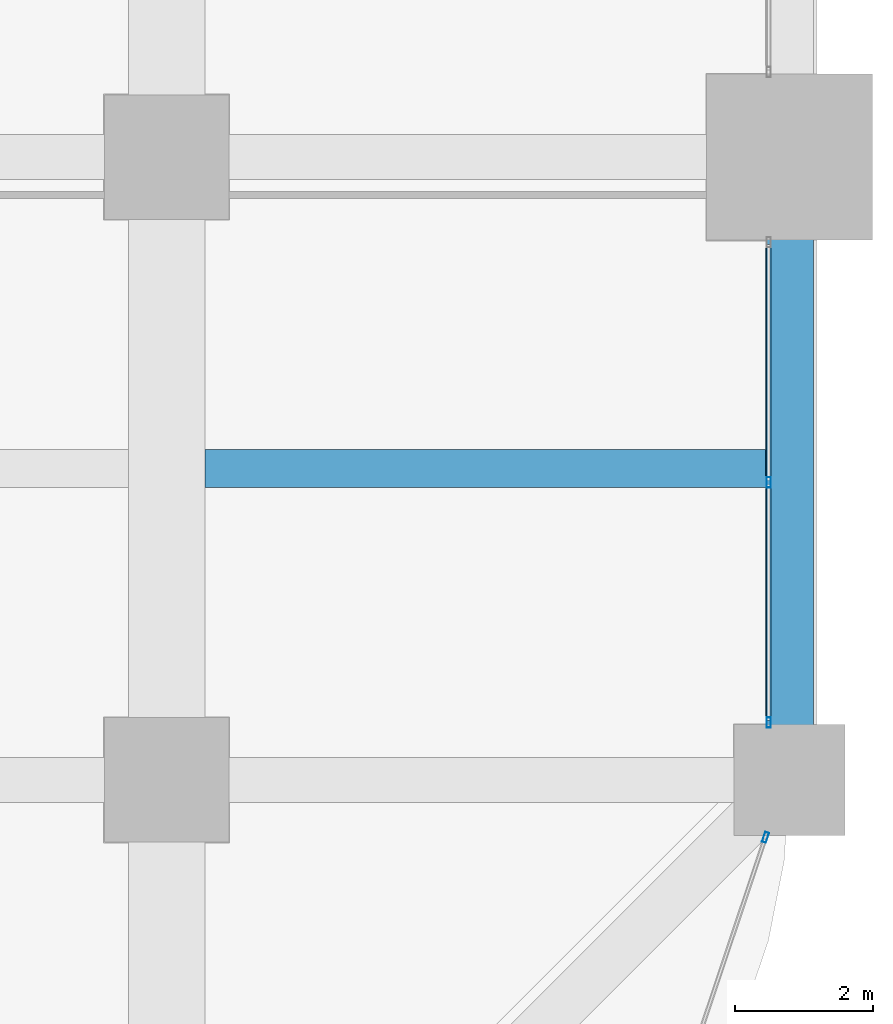
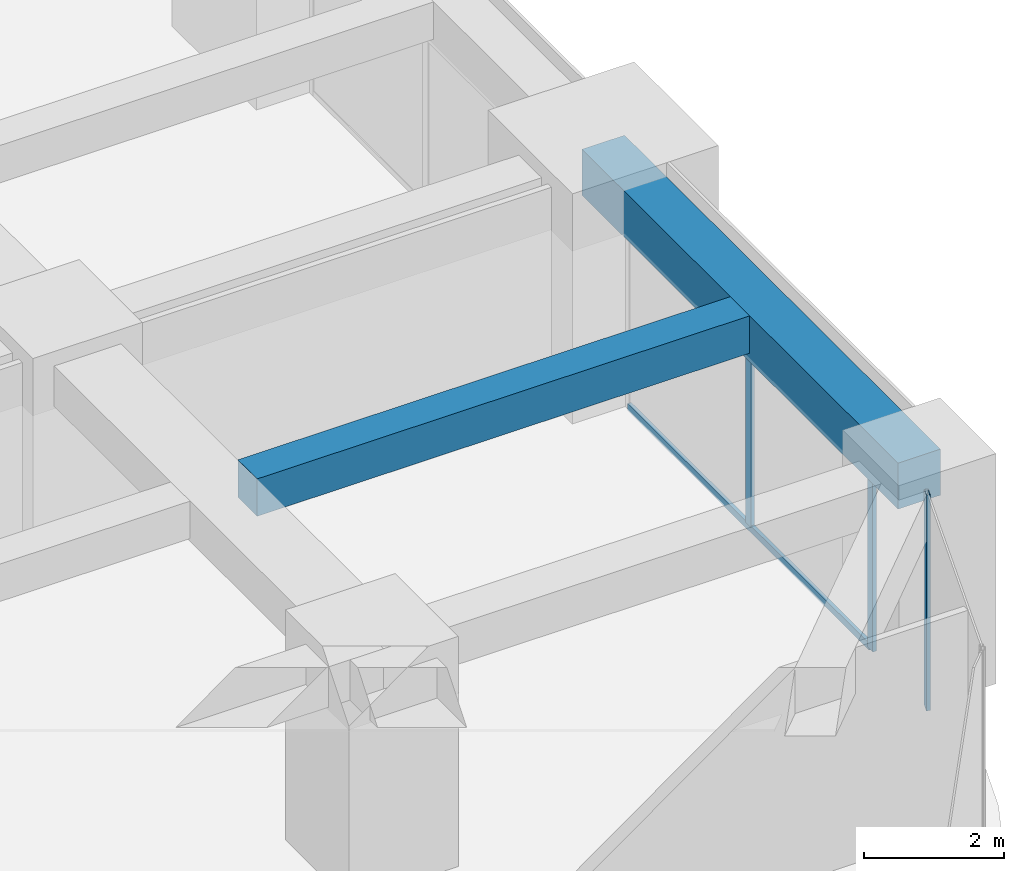
# One storey, part 19 of 39: 4 members, 2 beams, 2 elements without a shape of their own.
"""IFC4 building model written with IfcOpenShell, lengths in metres."""

from ifc_helpers import new_model, si_unit, direction, frame, origin, origin_2d, place, context, subcontext, project, spatial, rectangle, hollow_rectangle, extrude, material, material_profile, profile_set, type_object, element, aggregate, save


model = new_model("IFC4")

# Units and contexts
model_context = context("Model", 3, precision=1e-05, world=origin(), true_north=direction((0.0, 1.0)))
body_context = subcontext(model_context, "Body", "Model", "MODEL_VIEW")
ifc_project = project(units=[si_unit("LENGTHUNIT", "METRE"), si_unit("AREAUNIT", "SQUARE_METRE"), si_unit("VOLUMEUNIT", "CUBIC_METRE"), si_unit("PLANEANGLEUNIT", "RADIAN"), si_unit("MASSUNIT", "GRAM", prefix="KILO")], contexts=[model_context])

# Site, building, storey
site_placement = place(None, origin())
site = spatial("IfcSite", under=ifc_project, at=site_placement, CompositionType="ELEMENT")
building_placement = place(site_placement, origin())
building = spatial("IfcBuilding", under=site, at=building_placement, Name="Zorevar Civic Tower", CompositionType="ELEMENT")
storey_placement = place(building_placement, frame((0.0, 0.0, 125.0)))
storey = spatial("IfcBuildingStorey", under=building, at=storey_placement, Name="L30", CompositionType="ELEMENT", Elevation=125.0)

# Beam
ifc_material_1 = material(Name="Concrete C50/60", Category="concrete")
ifc_material_profile_1 = material_profile(ifc_material_1, rectangle(XDim=0.550048828125, YDim=0.64990234375, at=origin_2d()), Name="RC 550x650")
ifc_profile_set_1 = profile_set([ifc_material_profile_1], Name="Concrete C50/60")
beam_type_1 = type_object("IfcBeamType", Name="Beam RC 550x650", PredefinedType="BEAM", material=ifc_profile_set_1)
beam_1_placement = place(storey_placement, frame((54.550048828125, 13.5, 3.425048828125), z_axis=(1.0, 0.0, 0.0), x_axis=(0.0, 1.0, 0.0)))
element("IfcBeam", 1, at=beam_1_placement, inside=storey, type_object=beam_type_1, Name="Secondary beam L31", PredefinedType="BEAM", context=body_context, shape_type="SweptSolid", body=[
    extrude(rectangle(XDim=0.550048828125, YDim=0.64990234375, at=origin_2d()), origin(), (0.0, 0.0, 1.0), 8.099853515625),
])

# Curtain wall, members
ifc_material_2 = material(Name="Dark grey solar-control glass in black aluminium frame", Category="aluminium")
curtain_wall_type = type_object("IfcCurtainWallType", Name="Curtain wall CW3 mid zone", PredefinedType="NOTDEFINED", material=ifc_material_2)
curtain_wall_1_placement = place(storey_placement, origin())
curtain_wall_1 = element("IfcCurtainWall", 2, at=curtain_wall_1_placement, inside=storey, type_object=curtain_wall_type, Name="CW3 L30", PredefinedType="NOTDEFINED")
ifc_material_3 = material(Name="Aluminium, black anodised", Category="aluminium")
ifc_material_profile_2 = material_profile(ifc_material_3, hollow_rectangle(XDim=0.06005859375, YDim=0.14990234375, WallThickness=0.00390625, at=origin_2d()), Name="AL 150x60x4")
ifc_profile_set_2 = profile_set([ifc_material_profile_2], Name="Aluminium, black anodised")
member_type_1 = type_object("IfcMemberType", Name="CW3 mullion AL 150x60x4", PredefinedType="MULLION", material=ifc_profile_set_2)
member_1_placement = place(storey_placement, frame((62.699951171875, 9.830078125, 0.0), z_axis=(0.0, 0.0, 1.0), x_axis=(-1.0, 0.0, 0.0)))
member_1 = element("IfcMember", 3, at=member_1_placement, type_object=member_type_1, Name="CW3 mullion 1", PredefinedType="MULLION", context=body_context, shape_type="SweptSolid", body=[
    extrude(hollow_rectangle(XDim=0.06005859375, YDim=0.14990234375, WallThickness=0.00390625, at=origin_2d()), origin(), (0.0, 0.0, 1.0), 2.949951171875),
])
member_2_placement = place(storey_placement, frame((62.699951171875, 13.300048828125, 0.06005859375), z_axis=(0.0, 0.0, 1.0), x_axis=(-1.0, 0.0, 0.0)))
member_2 = element("IfcMember", 4, at=member_2_placement, type_object=member_type_1, Name="CW3 mullion 2", PredefinedType="MULLION", context=body_context, shape_type="SweptSolid", body=[
    extrude(hollow_rectangle(XDim=0.06005859375, YDim=0.14990234375, WallThickness=0.00390625, at=origin_2d()), origin(), (0.0, 0.0, 1.0), 2.889892578125),
])

# Curtain wall, member
curtain_wall_2_placement = place(storey_placement, origin())
curtain_wall_2 = element("IfcCurtainWall", 5, at=curtain_wall_2_placement, inside=storey, type_object=curtain_wall_type, Name="CW3 L30", PredefinedType="NOTDEFINED")
member_3_placement = place(storey_placement, frame((62.653564453125, 8.171630859375, 0.0), z_axis=(0.0, 0.0, 1.0), x_axis=(-0.948227238701, 0.317592669603, 0.0)))
member_3 = element("IfcMember", 6, at=member_3_placement, type_object=member_type_1, Name="CW3 mullion 2", PredefinedType="MULLION", context=body_context, shape_type="SweptSolid", body=[
    extrude(hollow_rectangle(XDim=0.06005859375, YDim=0.14990234375, WallThickness=0.00390625, at=origin_2d()), origin(), (0.0, 0.0, 1.0), 3.75),
])
aggregate(curtain_wall_2, [member_3])

# Member
ifc_material_4 = material(Name="Aluminium, black anodised", Category="aluminium")
ifc_material_profile_3 = material_profile(ifc_material_4, hollow_rectangle(XDim=0.06005859375, YDim=0.1201171875, WallThickness=0.0029296875, at=origin_2d()), Name="AL 120x60x3")
ifc_profile_set_3 = profile_set([ifc_material_profile_3], Name="Aluminium, black anodised")
member_type_2 = type_object("IfcMemberType", Name="CW3 transom AL 120x60x3", PredefinedType="USERDEFINED", material=ifc_profile_set_3)
member_4_placement = place(storey_placement, frame((62.699951171875, 9.860107421875, 0.030029296875), z_axis=(0.0, 1.0, 0.0), x_axis=(-1.0, 0.0, 0.0)))
member_4 = element("IfcMember", 7, at=member_4_placement, type_object=member_type_2, Name="CW3 sill transom", ObjectType="TRANSOM", PredefinedType="USERDEFINED", context=body_context, shape_type="SweptSolid", body=[
    extrude(hollow_rectangle(XDim=0.06005859375, YDim=0.1201171875, WallThickness=0.0029296875, at=origin_2d()), origin(), (0.0, 0.0, 1.0), 6.8798828125),
])

aggregate(curtain_wall_1, [member_1, member_2, member_4])

# Beam
ifc_material_5 = material(Name="Concrete C50/60", Category="concrete")
ifc_material_profile_4 = material_profile(ifc_material_5, rectangle(XDim=0.699951171875, YDim=0.800048828125, at=origin_2d()), Name="RC 700x800")
ifc_profile_set_4 = profile_set([ifc_material_profile_4], Name="Concrete C50/60")
beam_type_2 = type_object("IfcBeamType", Name="Edge beam RC 700x800", PredefinedType="SPANDREL", material=ifc_profile_set_4)
beam_2_placement = place(storey_placement, frame((63.0, 9.0, 3.35009765625), z_axis=(0.0, 1.0, 0.0), x_axis=(-1.0, 0.0, 0.0)))
element("IfcBeam", 8, at=beam_2_placement, inside=storey, type_object=beam_type_2, Name="Edge beam L31", PredefinedType="SPANDREL", context=body_context, shape_type="SweptSolid", body=[
    extrude(rectangle(XDim=0.699951171875, YDim=0.800048828125, at=origin_2d()), origin(), (0.0, 0.0, 1.0), 9.0),
])

save(model, "model.ifc")
